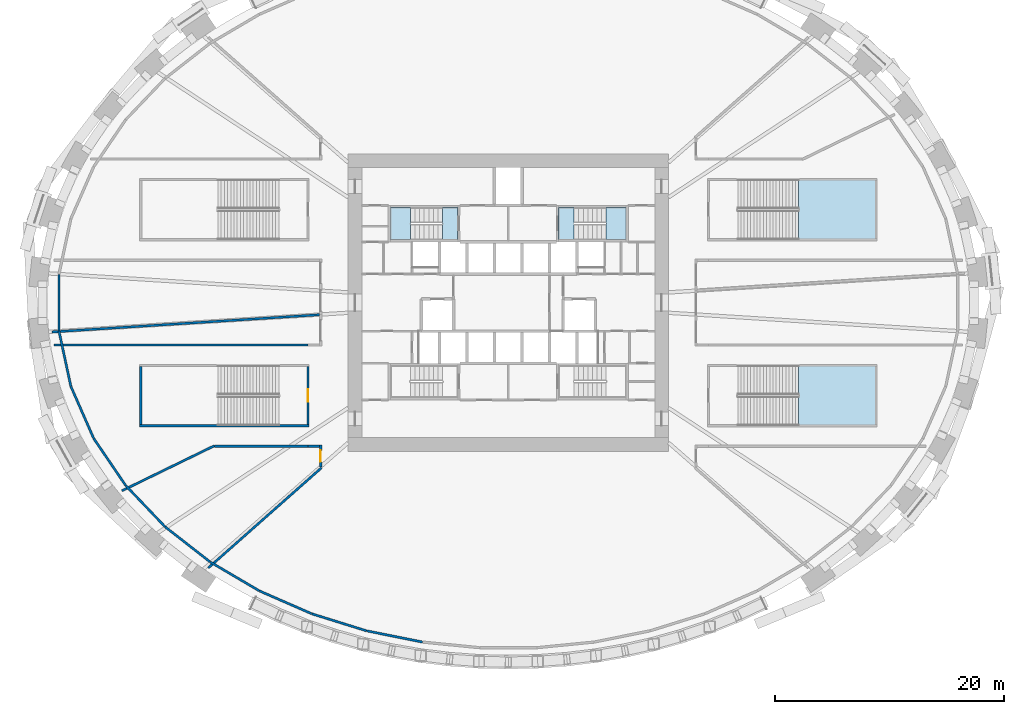
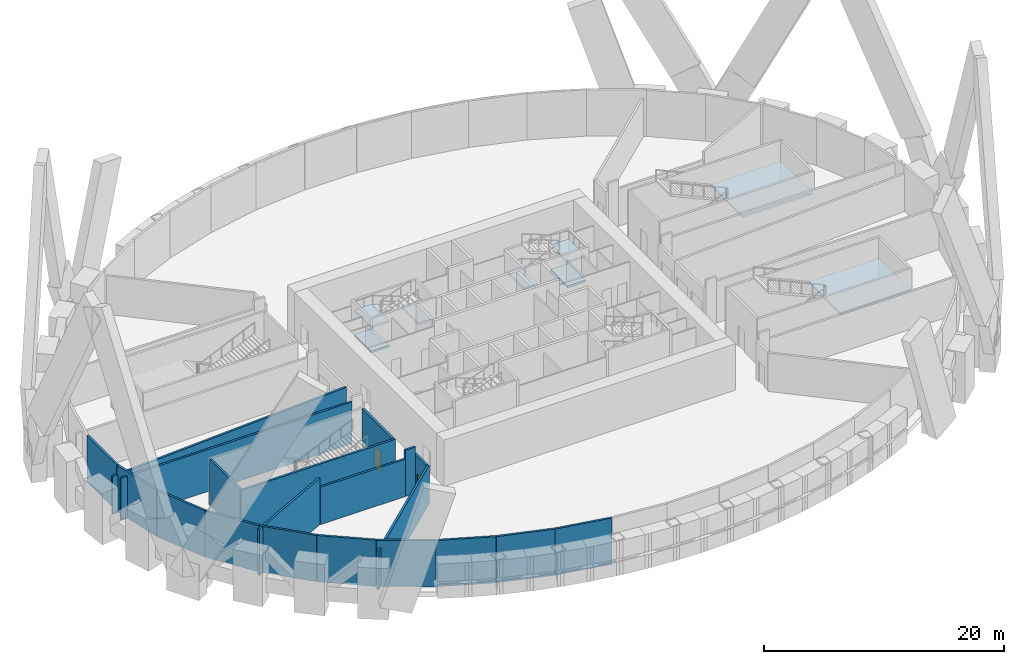
# One storey, part 6 of 16: 20 walls, 8 slabs, 2 doors, 2 openings, 4 elements without a shape of their own.
"""IFC4 building model written with IfcOpenShell, lengths in metres."""

from ifc_helpers import new_model, si_unit, direction, frame, frame_2d, origin, place, context, subcontext, project, spatial, polyline, rectangle, outline, extrude, source, transform, mapped, material, layer, layer_set, type_object, element, fill, aggregate, save


model = new_model("IFC4")

# Units and contexts
model_context = context("Model", 3, precision=1e-05, world=origin(), true_north=direction((0.0, 1.0)))
body_context = subcontext(model_context, "Body", "Model", "MODEL_VIEW")
ifc_project = project(units=[si_unit("LENGTHUNIT", "METRE"), si_unit("AREAUNIT", "SQUARE_METRE"), si_unit("VOLUMEUNIT", "CUBIC_METRE"), si_unit("PLANEANGLEUNIT", "RADIAN"), si_unit("MASSUNIT", "GRAM", prefix="KILO")], contexts=[model_context])

# Site, building, storey
site_placement = place(None, origin())
site = spatial("IfcSite", under=ifc_project, at=site_placement, CompositionType="ELEMENT")
building_placement = place(site_placement, origin())
building = spatial("IfcBuilding", under=site, at=building_placement, Name="Embergate Tower", CompositionType="ELEMENT")
storey_placement = place(building_placement, frame((0.0, 0.0, 24.0)))
storey = spatial("IfcBuildingStorey", under=building, at=storey_placement, Name="L02", CompositionType="ELEMENT", Elevation=24.0)

# Stair, slab
ifc_material_1 = material(Name="Exit stair")
stair_type_1 = type_object("IfcStairType", Name="Exit stair", PredefinedType="HALF_TURN_STAIR", material=ifc_material_1)
stair_1_placement = place(storey_placement, origin())
stair_1 = element("IfcStair", 1, at=stair_1_placement, inside=storey, type_object=stair_type_1, Name="L02 Exit stair 1", PredefinedType="HALF_TURN_STAIR")
ifc_material_2 = material(Name="Concrete C40", Category="concrete")
ifc_layer_1 = layer(ifc_material_2, 0.199951171875)
ifc_layer_set_1 = layer_set([ifc_layer_1], Name="Concrete C40")
slab_type_1 = type_object("IfcSlabType", Name="Stair landing reinforced concrete", PredefinedType="LANDING", material=ifc_layer_set_1)
shared_shape_1 = source(origin(), body_context, "Body", "SweptSolid", [
    extrude(outline(polyline([(0.0, 0.0), (1.35009765625, 0.0), (1.35009765625, 2.800048828125), (0.0, 2.800048828125), (0.0, 0.0)])), origin(), (0.0, 0.0, 1.0), 0.199951171875),
])
slab_1_placement = place(storey_placement, frame((-5.75, 5.5, 2.300048828125)))
slab_1 = element("IfcSlab", 2, at=slab_1_placement, type_object=slab_type_1, Name="ST1 landing 2", PredefinedType="LANDING", context=body_context, shape_type="MappedRepresentation", body=[
    mapped(shared_shape_1, transform((0.0, 0.0, 0.0))),
])

stair_2_placement = place(storey_placement, origin())
stair_2 = element("IfcStair", 3, at=stair_2_placement, inside=storey, type_object=stair_type_1, Name="L02 Exit stair 2", PredefinedType="HALF_TURN_STAIR")
slab_2_placement = place(storey_placement, frame((4.39990234375, 5.5, 2.300048828125)))
slab_2 = element("IfcSlab", 4, at=slab_2_placement, type_object=slab_type_1, Name="ST2 landing 2", PredefinedType="LANDING", context=body_context, shape_type="MappedRepresentation", body=[
    mapped(shared_shape_1, transform((0.0, 0.0, 0.0))),
])

# Slab
shared_shape_2 = source(origin(), body_context, "Body", "SweptSolid", [
    extrude(outline(polyline([(0.0, 0.0), (1.75, 0.0), (1.75, 2.800048828125), (0.0, 2.800048828125), (0.0, 0.0)])), origin(), (0.0, 0.0, 1.0), 0.199951171875),
])
slab_3_placement = place(storey_placement, frame((-10.300048828125, 5.5, 1.050048828125)))
slab_3 = element("IfcSlab", 5, at=slab_3_placement, type_object=slab_type_1, Name="ST1 landing 1", PredefinedType="LANDING", context=body_context, shape_type="MappedRepresentation", body=[
    mapped(shared_shape_2, transform((0.0, 0.0, 0.0))),
])

slab_4_placement = place(storey_placement, frame((-10.300048828125, 5.5, 3.550048828125)))
slab_4 = element("IfcSlab", 6, at=slab_4_placement, type_object=slab_type_1, Name="ST1 landing 3", PredefinedType="LANDING", context=body_context, shape_type="MappedRepresentation", body=[
    mapped(shared_shape_2, transform((0.0, 0.0, 0.0))),
])

aggregate(stair_1, [slab_3, slab_1, slab_4])

slab_5_placement = place(storey_placement, frame((8.550048828125, 5.5, 1.050048828125)))
slab_5 = element("IfcSlab", 7, at=slab_5_placement, type_object=slab_type_1, Name="ST2 landing 1", PredefinedType="LANDING", context=body_context, shape_type="MappedRepresentation", body=[
    mapped(shared_shape_2, transform((0.0, 0.0, 0.0))),
])

slab_6_placement = place(storey_placement, frame((8.550048828125, 5.5, 3.550048828125)))
slab_6 = element("IfcSlab", 8, at=slab_6_placement, type_object=slab_type_1, Name="ST2 landing 3", PredefinedType="LANDING", context=body_context, shape_type="MappedRepresentation", body=[
    mapped(shared_shape_2, transform((0.0, 0.0, 0.0))),
])

aggregate(stair_2, [slab_5, slab_2, slab_6])

# Stair, slab
stair_type_2 = type_object("IfcStairType", Name="Podium exit stair RC", PredefinedType="HALF_TURN_STAIR", material=ifc_material_2)
stair_3_placement = place(storey_placement, origin())
stair_3 = element("IfcStair", 9, at=stair_3_placement, inside=storey, type_object=stair_type_2, Name="L02 Podium exit stair 1", PredefinedType="HALF_TURN_STAIR")
ifc_layer_2 = layer(ifc_material_2, 0.199951171875)
ifc_layer_set_2 = layer_set([ifc_layer_2], Name="Concrete C40")
slab_type_2 = type_object("IfcSlabType", Name="Podium exit stair landing RC", PredefinedType="LANDING", material=ifc_layer_set_2)
shared_shape_3 = source(origin(), body_context, "Body", "SweptSolid", [
    extrude(outline(polyline([(0.0, 0.0), (6.75, 0.0), (6.75, 5.25), (0.0, 5.25), (0.0, 0.0)])), origin(), (0.0, 0.0, 1.0), 0.199951171875),
])
slab_7_placement = place(storey_placement, frame((25.3701171875, 5.5, 2.300048828125)))
slab_7 = element("IfcSlab", 10, at=slab_7_placement, type_object=slab_type_2, Name="P1 landing 1", PredefinedType="LANDING", context=body_context, shape_type="MappedRepresentation", body=[
    mapped(shared_shape_3, transform((0.0, 0.0, 0.0))),
])
aggregate(stair_3, [slab_7])

stair_4_placement = place(storey_placement, origin())
stair_4 = element("IfcStair", 11, at=stair_4_placement, inside=storey, type_object=stair_type_2, Name="L02 Podium exit stair 2", PredefinedType="HALF_TURN_STAIR")
slab_8_placement = place(storey_placement, frame((25.3701171875, -10.75, 2.300048828125)))
slab_8 = element("IfcSlab", 12, at=slab_8_placement, type_object=slab_type_2, Name="P2 landing 1", PredefinedType="LANDING", context=body_context, shape_type="MappedRepresentation", body=[
    mapped(shared_shape_3, transform((0.0, 0.0, 0.0))),
])
aggregate(stair_4, [slab_8])

# Walls
ifc_material_3 = material(Name="Terracotta louvre cladding on insulated backing", Category="masonry")
ifc_layer_3 = layer(ifc_material_3, 0.199951171875)
ifc_layer_set_3 = layer_set([ifc_layer_3], Name="Terracotta louvre cladding on insulated backing")
wall_type_1 = type_object("IfcWallType", Name="Terracotta louvre wall", PredefinedType="SOLIDWALL", material=ifc_layer_set_3)
shared_shape_4 = source(origin(), body_context, "Body", "SweptSolid", [
    extrude(rectangle(XDim=4.9365234375, YDim=0.199951171875, at=frame_2d((2.46826171875, 0.0))), origin(), (0.0, 0.0, 1.0), 4.699951171875),
])
wall_1_placement = place(storey_placement, frame((-38.22265625, -7.3125, 0.0), z_axis=(0.0, 0.0, 1.0), x_axis=(-0.210390283852, 0.97761747553, 0.0)))
element("IfcWall", 13, at=wall_1_placement, inside=storey, type_object=wall_type_1, Name="Louvre wall 23", PredefinedType="SOLIDWALL", context=body_context, shape_type="MappedRepresentation", body=[
    mapped(shared_shape_4, transform((0.0, 0.0, 0.0))),
])
shared_shape_5 = source(origin(), body_context, "Body", "SweptSolid", [
    extrude(rectangle(XDim=4.943603515625, YDim=0.199951171875, at=frame_2d((2.4716796875, 0.0))), origin(), (0.0, 0.0, 1.0), 4.699951171875),
])
wall_2_placement = place(storey_placement, frame((-36.23095703125, -11.858642578125, 0.0), z_axis=(0.0, 0.0, 1.0), x_axis=(-0.401647689183, 0.91579426389, 0.0)))
element("IfcWall", 14, at=wall_2_placement, inside=storey, type_object=wall_type_1, Name="Louvre wall 24", PredefinedType="SOLIDWALL", context=body_context, shape_type="MappedRepresentation", body=[
    mapped(shared_shape_5, transform((0.0, 0.0, 0.0))),
])
shared_shape_6 = source(origin(), body_context, "Body", "SweptSolid", [
    extrude(rectangle(XDim=4.95263671875, YDim=0.199951171875, at=frame_2d((2.476318359375, 0.0))), origin(), (0.0, 0.0, 1.0), 4.699951171875),
])
wall_3_placement = place(storey_placement, frame((-33.436279296875, -15.9716796875, 0.0), z_axis=(0.0, 0.0, 1.0), x_axis=(-0.562310021407, 0.82692650207, 0.0)))
element("IfcWall", 15, at=wall_3_placement, inside=storey, type_object=wall_type_1, Name="Louvre wall 25", PredefinedType="SOLIDWALL", context=body_context, shape_type="MappedRepresentation", body=[
    mapped(shared_shape_6, transform((0.0, 0.0, 0.0))),
])
shared_shape_7 = source(origin(), body_context, "Body", "SweptSolid", [
    extrude(rectangle(XDim=4.961669921875, YDim=0.199951171875, at=frame_2d((2.48095703125, 0.0))), origin(), (0.0, 0.0, 1.0), 4.699951171875),
])
wall_4_placement = place(storey_placement, frame((-29.99951171875, -19.577880859375, 0.0), z_axis=(0.0, 0.0, 1.0), x_axis=(-0.690103504096, 0.723710683654, 0.0)))
element("IfcWall", 16, at=wall_4_placement, inside=storey, type_object=wall_type_1, Name="Louvre wall 26", PredefinedType="SOLIDWALL", context=body_context, shape_type="MappedRepresentation", body=[
    mapped(shared_shape_7, transform((0.0, 0.0, 0.0))),
])
shared_shape_8 = source(origin(), body_context, "Body", "SweptSolid", [
    extrude(rectangle(XDim=4.96923828125, YDim=0.199951171875, at=frame_2d((2.484619140625, 0.0))), origin(), (0.0, 0.0, 1.0), 4.699951171875),
])
wall_5_placement = place(storey_placement, frame((-26.0673828125, -22.648681640625, 0.0), z_axis=(0.0, 0.0, 1.0), x_axis=(-0.788332637982, 0.615249259968, 0.0)))
element("IfcWall", 17, at=wall_5_placement, inside=storey, type_object=wall_type_1, Name="Louvre wall 27", PredefinedType="SOLIDWALL", context=body_context, shape_type="MappedRepresentation", body=[
    mapped(shared_shape_8, transform((0.0, 0.0, 0.0))),
])
shared_shape_9 = source(origin(), body_context, "Body", "SweptSolid", [
    extrude(rectangle(XDim=4.975341796875, YDim=0.199951171875, at=frame_2d((2.48779296875, 0.0))), origin(), (0.0, 0.0, 1.0), 4.699951171875),
])
wall_6_placement = place(storey_placement, frame((-21.761962890625, -25.181640625, 0.0), z_axis=(0.0, 0.0, 1.0), x_axis=(-0.86203133229, 0.506854991246, 0.0)))
element("IfcWall", 18, at=wall_6_placement, inside=storey, type_object=wall_type_1, Name="Louvre wall 28", PredefinedType="SOLIDWALL", context=body_context, shape_type="MappedRepresentation", body=[
    mapped(shared_shape_9, transform((0.0, 0.0, 0.0))),
])
shared_shape_10 = source(origin(), body_context, "Body", "SweptSolid", [
    extrude(rectangle(XDim=4.97998046875, YDim=0.199951171875, at=frame_2d((2.489990234375, 0.0))), origin(), (0.0, 0.0, 1.0), 4.699951171875),
])
wall_7_placement = place(storey_placement, frame((-17.18115234375, -27.185791015625, 0.0), z_axis=(0.0, 0.0, 1.0), x_axis=(-0.916245072647, 0.400618230801, 0.0)))
element("IfcWall", 19, at=wall_7_placement, inside=storey, type_object=wall_type_1, Name="Louvre wall 29", PredefinedType="SOLIDWALL", context=body_context, shape_type="MappedRepresentation", body=[
    mapped(shared_shape_10, transform((0.0, 0.0, 0.0))),
])
shared_shape_11 = source(origin(), body_context, "Body", "SweptSolid", [
    extrude(rectangle(XDim=4.9833984375, YDim=0.199951171875, at=frame_2d((2.49169921875, 0.0))), origin(), (0.0, 0.0, 1.0), 4.699951171875),
])
wall_8_placement = place(storey_placement, frame((-12.404296875, -28.6748046875, 0.0), z_axis=(0.0, 0.0, 1.0), x_axis=(-0.954762851693, 0.297368285175, 0.0)))
element("IfcWall", 20, at=wall_8_placement, inside=storey, type_object=wall_type_1, Name="Louvre wall 30", PredefinedType="SOLIDWALL", context=body_context, shape_type="MappedRepresentation", body=[
    mapped(shared_shape_11, transform((0.0, 0.0, 0.0))),
])
shared_shape_12 = source(origin(), body_context, "Body", "SweptSolid", [
    extrude(rectangle(XDim=4.98583984375, YDim=0.199951171875, at=frame_2d((2.492919921875, 0.0))), origin(), (0.0, 0.0, 1.0), 4.699951171875),
])
wall_9_placement = place(storey_placement, frame((-7.49658203125, -29.66015625, 0.0), z_axis=(0.0, 0.0, 1.0), x_axis=(-0.980473177294, 0.196652863208, 0.0)))
element("IfcWall", 21, at=wall_9_placement, inside=storey, type_object=wall_type_1, Name="Louvre wall 31", PredefinedType="SOLIDWALL", context=body_context, shape_type="MappedRepresentation", body=[
    mapped(shared_shape_12, transform((0.0, 0.0, 0.0))),
])
shared_shape_13 = source(origin(), body_context, "Body", "SweptSolid", [
    extrude(rectangle(XDim=4.93359375, YDim=0.199951171875, at=frame_2d((2.466796875, 0.0))), origin(), (0.0, 0.0, 1.0), 4.699951171875),
])
wall_10_placement = place(storey_placement, frame((-39.26318359375, -2.466796875, 0.0), z_axis=(0.0, 0.0, 1.0), x_axis=(0.0, 1.0, 0.0)))
element("IfcWall", 22, at=wall_10_placement, inside=storey, type_object=wall_type_1, Name="Louvre wall 22", PredefinedType="SOLIDWALL", context=body_context, shape_type="MappedRepresentation", body=[
    mapped(shared_shape_13, transform((0.0, 0.0, 0.0))),
])
ifc_material_4 = material(Name="Blockwork, plastered", Category="masonry")
ifc_layer_4 = layer(ifc_material_4, 0.199951171875)
ifc_layer_set_4 = layer_set([ifc_layer_4], Name="Blockwork, plastered")
wall_type_2 = type_object("IfcWallType", Name="Fire partition wall 200 block", PredefinedType="PARTITIONING", material=ifc_layer_set_4)
shared_shape_14 = source(origin(), body_context, "Body", "SweptSolid", [
    extrude(rectangle(XDim=22.196044921875, YDim=0.199951171875, at=frame_2d((11.09814453125, 0.0))), origin(), (0.0, 0.0, 1.0), 4.25),
])
wall_11_placement = place(storey_placement, frame((-17.5, -3.699951171875, 0.0), z_axis=(0.0, 0.0, 1.0), x_axis=(-1.0, 0.0, 0.0)))
element("IfcWall", 23, at=wall_11_placement, inside=storey, type_object=wall_type_2, Name="Partition 011", PredefinedType="PARTITIONING", context=body_context, shape_type="MappedRepresentation", body=[
    mapped(shared_shape_14, transform((0.0, 0.0, 0.0))),
])
shared_shape_15 = source(origin(), body_context, "Body", "SweptSolid", [
    extrude(rectangle(XDim=8.994873046875, YDim=0.199951171875, at=frame_2d((4.49755859375, 0.0))), origin(), (0.0, 0.0, 1.0), 4.699951171875),
])
wall_12_placement = place(storey_placement, frame((-33.76708984375, -16.444091796875, 0.0), z_axis=(0.0, 0.0, 1.0), x_axis=(0.899073426837, 0.437797867921, 0.0)))
element("IfcWall", 24, at=wall_12_placement, inside=storey, type_object=wall_type_2, Name="Partition 002", PredefinedType="PARTITIONING", context=body_context, shape_type="MappedRepresentation", body=[
    mapped(shared_shape_15, transform((0.0, 0.0, 0.0))),
])
ifc_layer_5 = layer(ifc_material_2, 0.199951171875)
ifc_layer_set_5 = layer_set([ifc_layer_5], Name="Concrete C40")
wall_type_3 = type_object("IfcWallType", Name="Stair enclosure wall RC 200", PredefinedType="STANDARD", material=ifc_layer_set_5)
shared_shape_16 = source(origin(), body_context, "Body", "SweptSolid", [
    extrude(rectangle(XDim=5.0498046875, YDim=0.199951171875, at=frame_2d((2.52490234375, 0.0))), origin(), (0.0, 0.0, 1.0), 4.699951171875),
])
wall_13_placement = place(storey_placement, frame((-32.1201171875, -10.64990234375, 0.0), z_axis=(0.0, 0.0, 1.0), x_axis=(0.0, 1.0, 0.0)))
element("IfcWall", 25, at=wall_13_placement, inside=storey, type_object=wall_type_3, Name="Stair wall 003", PredefinedType="STANDARD", context=body_context, shape_type="MappedRepresentation", body=[
    mapped(shared_shape_16, transform((0.0, 0.0, 0.0))),
])

# Wall, opening, door
wall_14_placement = place(storey_placement, frame((-17.5, -10.64990234375, 0.0), z_axis=(0.0, 0.0, 1.0), x_axis=(0.0, 1.0, 0.0)))
wall_14 = element("IfcWall", 26, at=wall_14_placement, inside=storey, type_object=wall_type_3, Name="Stair wall 009", PredefinedType="STANDARD", context=body_context, shape_type="MappedRepresentation", body=[
    mapped(shared_shape_16, transform((0.0, 0.0, 0.0))),
])
shared_shape_17 = source(origin(), body_context, "Body", "SweptSolid", [
    extrude(rectangle(XDim=1.10009765625, YDim=2.10009765625, at=frame_2d((0.550048828125, 1.050048828125))), frame((0.0, 0.10986328125, 0.0), z_axis=(0.0, -1.0, 0.0), x_axis=(1.0, 0.0, 0.0)), (0.0, 0.0, 1.0), 0.219970703125),
])
opening_1_placement = place(wall_14_placement, frame((1.97509765625, 0.0, 0.0)))
opening_1 = element("IfcOpeningElement", 27, at=opening_1_placement, cuts=wall_14, Name="Opening DS-059", PredefinedType="OPENING", context=body_context, shape_type="MappedRepresentation", body=[
    mapped(shared_shape_17, transform((0.0, 0.0, 0.0))),
])
ifc_material_5 = material(Name="Steel fire door leaf", Category="steel")
door_type_1 = type_object("IfcDoorType", Name="Fire door class B 1100x2100", OperationType="SINGLE_SWING_LEFT", PredefinedType="DOOR", material=ifc_material_5)
shared_shape_18 = source(origin(), body_context, "Body", "SweptSolid", [
    extrude(rectangle(XDim=1.10009765625, YDim=2.10009765625, at=frame_2d((0.550048828125, 1.050048828125))), frame((0.0, 0.02490234375, 0.0), z_axis=(0.0, -1.0, 0.0), x_axis=(1.0, 0.0, 0.0)), (0.0, 0.0, 1.0), 0.050048828125),
])
door_1_placement = place(opening_1_placement, origin())
door_1 = element("IfcDoor", 28, at=door_1_placement, inside=storey, type_object=door_type_1, Name="Door to Exit stair enclosure", OperationType="SINGLE_SWING_LEFT", OverallHeight=2.10009765625, OverallWidth=1.10009765625, PredefinedType="DOOR", context=body_context, shape_type="MappedRepresentation", body=[
    mapped(shared_shape_18, transform((0.0, 0.0, 0.0))),
])
fill(opening_1, door_1)

# Walls
shared_shape_19 = source(origin(), body_context, "Body", "SweptSolid", [
    extrude(rectangle(XDim=14.820068359375, YDim=0.199951171875, at=frame_2d((7.41015625, 0.0))), origin(), (0.0, 0.0, 1.0), 4.699951171875),
])
wall_15_placement = place(storey_placement, frame((-32.219970703125, -10.75, 0.0), z_axis=(0.0, 0.0, 1.0), x_axis=(1.0, 0.0, 0.0)))
element("IfcWall", 29, at=wall_15_placement, inside=storey, type_object=wall_type_3, Name="Stair wall 004", PredefinedType="STANDARD", context=body_context, shape_type="MappedRepresentation", body=[
    mapped(shared_shape_19, transform((0.0, 0.0, 0.0))),
])
shared_shape_20 = source(origin(), body_context, "Body", "SweptSolid", [
    extrude(rectangle(XDim=13.1982421875, YDim=0.199951171875, at=frame_2d((6.59912109375, 0.0))), origin(), (0.0, 0.0, 1.0), 3.89990234375),
])
wall_16_placement = place(storey_placement, frame((-16.324951171875, -14.43701171875, 0.0), z_axis=(0.0, 0.0, 1.0), x_axis=(-0.749118361103, -0.662436171308, 0.0)))
element("IfcWall", 30, at=wall_16_placement, inside=storey, type_object=wall_type_2, Name="Partition 017", PredefinedType="PARTITIONING", context=body_context, shape_type="MappedRepresentation", body=[
    mapped(shared_shape_20, transform((0.0, 0.0, 0.0))),
])
shared_shape_21 = source(origin(), body_context, "Body", "SweptSolid", [
    extrude(rectangle(XDim=8.14990234375, YDim=0.199951171875, at=frame_2d((4.074951171875, 0.0))), origin(), (0.0, 0.0, 1.0), 3.800048828125),
])
wall_17_placement = place(storey_placement, frame((-25.64990234375, -12.550048828125, 0.0), z_axis=(0.0, 0.0, 1.0), x_axis=(1.0, 0.0, 0.0)))
element("IfcWall", 31, at=wall_17_placement, inside=storey, type_object=wall_type_2, Name="Partition 008", PredefinedType="PARTITIONING", context=body_context, shape_type="MappedRepresentation", body=[
    mapped(shared_shape_21, transform((0.0, 0.0, 0.0))),
])
shared_shape_22 = source(origin(), body_context, "Body", "SweptSolid", [
    extrude(rectangle(XDim=1.0, YDim=0.199951171875, at=frame_2d((0.5, 0.0))), origin(), (0.0, 0.0, 1.0), 4.699951171875),
])
wall_18_placement = place(storey_placement, frame((-16.5, -12.550048828125, 0.0), z_axis=(0.0, 0.0, 1.0), x_axis=(-1.0, 0.0, 0.0)))
element("IfcWall", 32, at=wall_18_placement, inside=storey, type_object=wall_type_2, Name="Partition 019", PredefinedType="PARTITIONING", context=body_context, shape_type="MappedRepresentation", body=[
    mapped(shared_shape_22, transform((0.0, 0.0, 0.0))),
])

# Wall, opening, door
shared_shape_23 = source(origin(), body_context, "Body", "SweptSolid", [
    extrude(rectangle(XDim=1.923095703125, YDim=0.199951171875, at=frame_2d((0.96142578125, 0.0))), origin(), (0.0, 0.0, 1.0), 3.89990234375),
])
wall_19_placement = place(storey_placement, frame((-16.39990234375, -14.373046875, 0.0), z_axis=(0.0, 0.0, 1.0), x_axis=(0.0, 1.0, 0.0)))
wall_19 = element("IfcWall", 33, at=wall_19_placement, inside=storey, type_object=wall_type_2, Name="Partition 018", PredefinedType="PARTITIONING", context=body_context, shape_type="MappedRepresentation", body=[
    mapped(shared_shape_23, transform((0.0, 0.0, 0.0))),
])
shared_shape_24 = source(origin(), body_context, "Body", "SweptSolid", [
    extrude(rectangle(XDim=1.0, YDim=2.10009765625, at=frame_2d((0.5, 1.050048828125))), frame((0.0, 0.10986328125, 0.0), z_axis=(0.0, -1.0, 0.0), x_axis=(1.0, 0.0, 0.0)), (0.0, 0.0, 1.0), 0.219970703125),
])
opening_2_placement = place(wall_19_placement, frame((0.4609375, 0.0, 0.0)))
opening_2 = element("IfcOpeningElement", 34, at=opening_2_placement, cuts=wall_19, Name="Opening DS-055", PredefinedType="OPENING", context=body_context, shape_type="MappedRepresentation", body=[
    mapped(shared_shape_24, transform((0.0, 0.0, 0.0))),
])
ifc_material_6 = material(Name="Timber door leaf, steel frame", Category="steel")
door_type_2 = type_object("IfcDoorType", Name="Single door 1000x2100", OperationType="SINGLE_SWING_LEFT", PredefinedType="DOOR", material=ifc_material_6)
shared_shape_25 = source(origin(), body_context, "Body", "SweptSolid", [
    extrude(rectangle(XDim=1.0, YDim=2.10009765625, at=frame_2d((0.5, 1.050048828125))), frame((0.0, 0.02490234375, 0.0), z_axis=(0.0, -1.0, 0.0), x_axis=(1.0, 0.0, 0.0)), (0.0, 0.0, 1.0), 0.050048828125),
])
door_2_placement = place(opening_2_placement, origin())
door_2 = element("IfcDoor", 35, at=door_2_placement, inside=storey, type_object=door_type_2, Name="Door to Refuge area", OperationType="SINGLE_SWING_LEFT", OverallHeight=2.10009765625, OverallWidth=1.0, PredefinedType="DOOR", context=body_context, shape_type="MappedRepresentation", body=[
    mapped(shared_shape_25, transform((0.0, 0.0, 0.0))),
])
fill(opening_2, door_2)

# Wall
shared_shape_26 = source(origin(), body_context, "Body", "SweptSolid", [
    extrude(rectangle(XDim=23.40625, YDim=0.199951171875, at=frame_2d((11.703125, 0.0))), origin(), (0.0, 0.0, 1.0), 3.800048828125),
])
wall_20_placement = place(storey_placement, frame((-16.5, -1.06201171875, 0.0), z_axis=(0.0, 0.0, 1.0), x_axis=(-0.997933688186, -0.06425226832, 0.0)))
element("IfcWall", 36, at=wall_20_placement, inside=storey, type_object=wall_type_2, Name="Partition 021", PredefinedType="PARTITIONING", context=body_context, shape_type="MappedRepresentation", body=[
    mapped(shared_shape_26, transform((0.0, 0.0, 0.0))),
])

save(model, "model.ifc")
